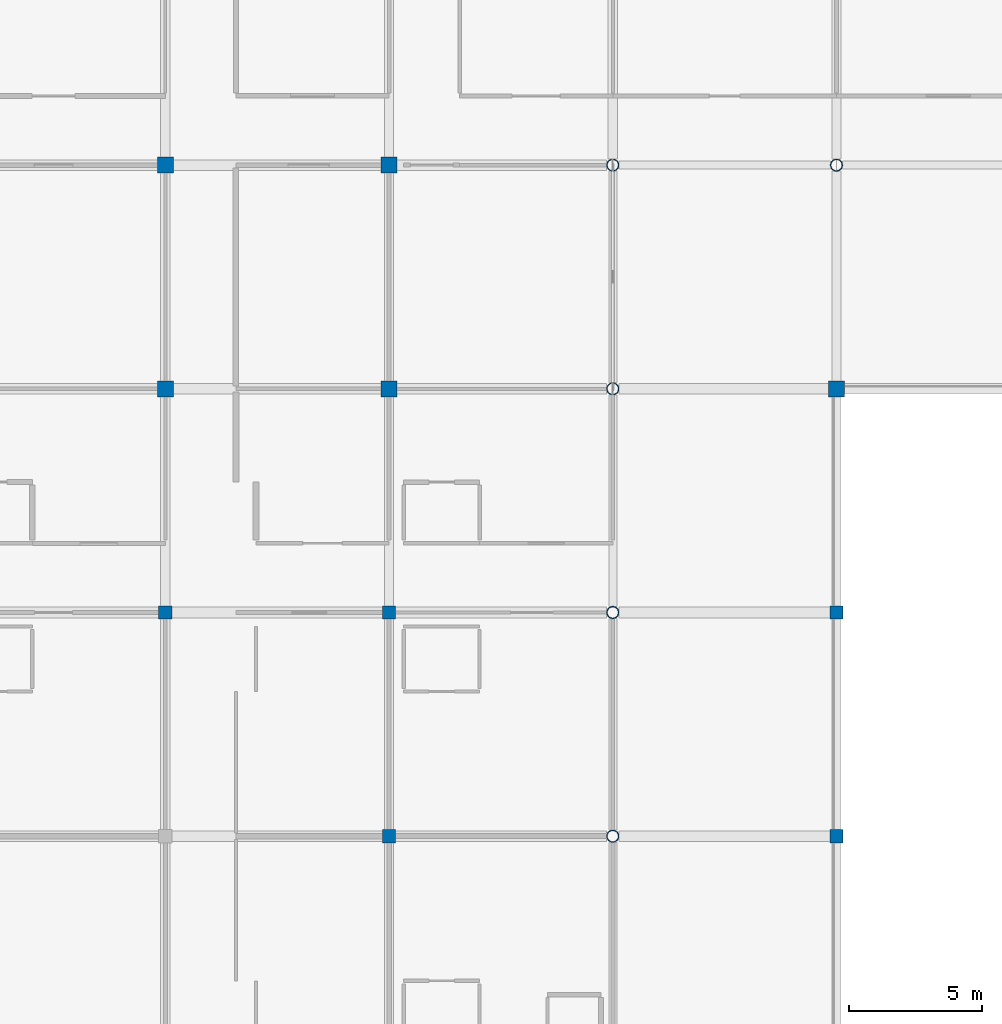
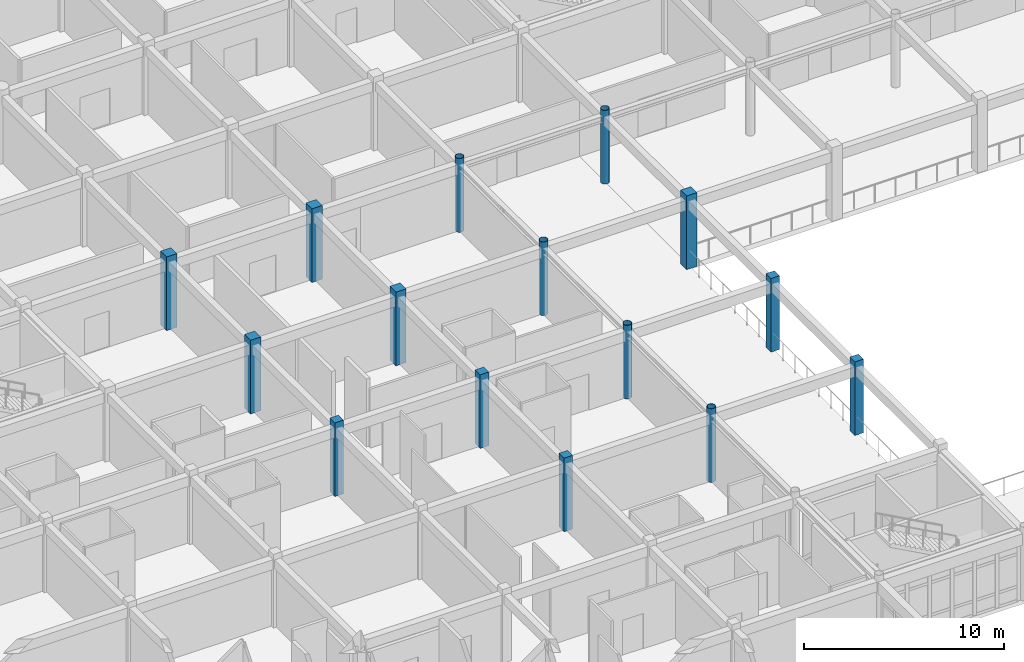
# One storey, part 4 of 144: 15 columns.
"""IFC4 building model written with IfcOpenShell, lengths in metres."""

import ifcopenshell
import ifcopenshell.guid

model = None  # the IFC model being written
_history = None  # IfcOwnerHistory: only IFC2X3 demands one
_inside = {}  # id of a spatial element -> (the spatial element, [elements in it])
_under = {}  # id of a project, library or spatial element -> (it, [spatial elements below it])
_declared = {}  # id of a project -> (the project, [libraries it declares])
_typed = {}  # id of a type object -> (the type object, [elements of that type])
_made_of = {}  # id of a material, layer set ... -> (it, [elements and type objects made of it])


def new_model(schema):
    """Start an empty IFC model of exactly this schema.

    Asked for "IFC4X3", IfcOpenShell would pick the latest addendum, in which some entities
    have other attributes; the version numbers below select the first issue.
    IFC2X3 requires an IfcOwnerHistory on every rooted entity: one is made here for all.
    """
    global model, _history
    if schema == "IFC4X3":
        model = ifcopenshell.file(schema_version=(4, 3, 0, 0))
    else:
        model = ifcopenshell.file(schema=schema)
    _inside.clear()
    _under.clear()
    _declared.clear()
    _typed.clear()
    _made_of.clear()
    _history = None
    if model.schema == "IFC2X3":
        org = make("IfcOrganization", Name="unknown")
        user = make(
            "IfcPersonAndOrganization",
            ThePerson=make("IfcPerson", FamilyName="unknown"),
            TheOrganization=org,
        )
        app = make(
            "IfcApplication",
            ApplicationDeveloper=org,
            Version="unknown",
            ApplicationFullName="unknown",
            ApplicationIdentifier="unknown",
        )
        _history = make(
            "IfcOwnerHistory",
            OwningUser=user,
            OwningApplication=app,
            ChangeAction="ADDED",
            CreationDate=0,
        )
    return model


def make(cls, **values):
    """One entity of the class cls with the attributes given. An attribute that is None is left unset."""
    return model.create_entity(
        cls, **{name: value for name, value in values.items() if value is not None}
    )


def rooted(cls, **values):
    """An entity with a GlobalId (a new one), such as an element, a storey or a relation."""
    return make(cls, GlobalId=ifcopenshell.guid.new(), OwnerHistory=_history, **values)


def si_unit(unit_type, name, prefix=None):
    """IfcSIUnit, for example si_unit("LENGTHUNIT", "METRE", prefix="MILLI")."""
    return make("IfcSIUnit", UnitType=unit_type, Prefix=prefix, Name=name)


def assignment(units):
    """IfcUnitAssignment: the units of a project."""
    return None if units is None else make("IfcUnitAssignment", Units=units)


def point(xyz):
    """IfcCartesianPoint."""
    return None if xyz is None else make("IfcCartesianPoint", Coordinates=xyz)


def direction(xyz):
    """IfcDirection."""
    return None if xyz is None else make("IfcDirection", DirectionRatios=xyz)


def frame(location, z_axis=None, x_axis=None):
    """IfcAxis2Placement3D, a coordinate frame: its origin and axes. An axis left out is left unset."""
    return make(
        "IfcAxis2Placement3D",
        Location=point(location),
        Axis=direction(z_axis),
        RefDirection=direction(x_axis),
    )


def frame_2d(location, x_axis=None):
    """IfcAxis2Placement2D, a coordinate frame in the plane: its origin and x axis."""
    return make(
        "IfcAxis2Placement2D", Location=point(location), RefDirection=direction(x_axis)
    )


def origin():
    """The frame at (0, 0, 0) with its axes left unset."""
    return frame((0.0, 0.0, 0.0))


def origin_2d():
    """The frame at (0, 0) in the plane with its x axis left unset."""
    return frame_2d((0.0, 0.0))


def place(relative_to, where):
    """IfcLocalPlacement: puts the frame where relative to a parent placement (None: the world)."""
    return make(
        "IfcLocalPlacement", PlacementRelTo=relative_to, RelativePlacement=where
    )


def context(
    kind, dimensions, precision=None, world=None, true_north=None, identifier=None
):
    """IfcGeometricRepresentationContext, for example the 3D "Model" context."""
    return make(
        "IfcGeometricRepresentationContext",
        ContextIdentifier=identifier,
        ContextType=kind,
        CoordinateSpaceDimension=dimensions,
        Precision=precision,
        WorldCoordinateSystem=world,
        TrueNorth=true_north,
    )


def subcontext(parent, identifier, kind, view, scale=None):
    """IfcGeometricRepresentationSubContext, for example "Body" below "Model"."""
    return make(
        "IfcGeometricRepresentationSubContext",
        ContextIdentifier=identifier,
        ContextType=kind,
        ParentContext=parent,
        TargetScale=scale,
        TargetView=view,
    )


def project(units=None, contexts=None):
    """IfcProject with its units and contexts."""
    return rooted(
        "IfcProject",
        Name="project",
        RepresentationContexts=contexts,
        UnitsInContext=assignment(units),
    )


def spatial(cls, under=None, at=None, **own):
    """A site, building, storey or space (cls), placed at a placement, below another one or the project."""
    s = rooted(cls, ObjectPlacement=at, **own)
    if under is not None:
        _under.setdefault(under.id(), (under, []))[1].append(s)
    return s


def profile(cls, at=None, kind="AREA", **sizes):
    """A parametric profile (cls). Its sizes go by their IFC names, for example OverallWidth=200.0."""
    return make(cls, ProfileType=kind, Position=at, **sizes)


def rectangle(**sizes):
    """IfcRectangleProfileDef."""
    return profile("IfcRectangleProfileDef", **sizes)


def hollow_circle(**sizes):
    """IfcCircleHollowProfileDef."""
    return profile("IfcCircleHollowProfileDef", **sizes)


def extrude(swept, where, along, depth):
    """IfcExtrudedAreaSolid: the profile swept, set in the frame where, extruded along a direction by depth."""
    return make(
        "IfcExtrudedAreaSolid",
        SweptArea=swept,
        Position=where,
        ExtrudedDirection=direction(along),
        Depth=depth,
    )


def shape(context_of_items, identifier, shape_type, items):
    """IfcShapeRepresentation: the items that make up one representation, for example the "Body"."""
    return make(
        "IfcShapeRepresentation",
        ContextOfItems=context_of_items,
        RepresentationIdentifier=identifier,
        RepresentationType=shape_type,
        Items=items,
    )


def material(Name=None, Category=None):
    """IfcMaterial."""
    return make("IfcMaterial", Name=Name, Category=Category)


def material_profile(
    of_material, cross_section, Name=None, Category=None, Priority=None
):
    """IfcMaterialProfile: a cross section and its material."""
    return make(
        "IfcMaterialProfile",
        Name=Name,
        Material=of_material,
        Profile=cross_section,
        Priority=Priority,
        Category=Category,
    )


def profile_set(profiles, Name=None, composite=None):
    """IfcMaterialProfileSet."""
    return make(
        "IfcMaterialProfileSet",
        Name=Name,
        MaterialProfiles=profiles,
        CompositeProfile=composite,
    )


def made_of(thing, what):
    """Note that an element or type object is made of a material, layer set ...; save() writes the relation."""
    if what is not None:
        _made_of.setdefault(what.id(), (what, []))[1].append(thing)
    return thing


def type_object(cls, material=None, **own):
    """A type object (cls), such as IfcWallType, which elements share."""
    return made_of(rooted(cls, **own), material)


def element(
    cls,
    number,
    at=None,
    inside=None,
    cuts=None,
    type_object=None,
    material=None,
    context=None,
    identifier="Body",
    shape_type=None,
    held_by="IfcProductDefinitionShape",
    body=None,
    shapes=None,
    **own,
):
    """One element of the class cls, such as IfcWall. Its Tag is "e" and its number.

    at: its placement. inside: the storey or other place that contains it. cuts: it is an
    opening in that element (IfcRelVoidsElement). A single representation is given by context,
    identifier, shape_type and body (its items); several are given by shapes. held_by: the class
    of the entity that holds the representations. save() writes the other relations.
    """
    e = rooted(cls, Tag="e%d" % number, ObjectPlacement=at, **own)
    if body is not None:
        shapes = [shape(context, identifier, shape_type, body)]
    if shapes is not None:
        e.Representation = make(held_by, Representations=shapes)
    if inside is not None:
        _inside.setdefault(inside.id(), (inside, []))[1].append(e)
    if cuts is not None:
        rooted(
            "IfcRelVoidsElement", RelatingBuildingElement=cuts, RelatedOpeningElement=e
        )
    if type_object is not None:
        _typed.setdefault(type_object.id(), (type_object, []))[1].append(e)
    return made_of(e, material)


def aggregate(whole, parts):
    """IfcRelAggregates: a whole, such as a stair, and the parts it consists of."""
    return rooted("IfcRelAggregates", RelatingObject=whole, RelatedObjects=parts)


def save(model, path):
    """Write the relations noted so far, then the file.

    IfcRelAggregates (storeys below a building ...), IfcRelContainedInSpatialStructure (elements
    in a storey), IfcRelDefinesByType, IfcRelAssociatesMaterial and IfcRelDeclares: one each for
    every whole, place, type object, material and project.
    """
    for whole, parts in _under.values():
        aggregate(whole, parts)
    for where, things in _inside.values():
        rooted(
            "IfcRelContainedInSpatialStructure",
            RelatedElements=things,
            RelatingStructure=where,
        )
    for kind, things in _typed.values():
        rooted("IfcRelDefinesByType", RelatedObjects=things, RelatingType=kind)
    for what, things in _made_of.values():
        rooted("IfcRelAssociatesMaterial", RelatedObjects=things, RelatingMaterial=what)
    for by, libraries in _declared.values():
        rooted("IfcRelDeclares", RelatingContext=by, RelatedDefinitions=libraries)
    model.write(path)


model = new_model("IFC4")

# Units and contexts
model_context = context("Model", 3, precision=1e-05, world=origin(), true_north=direction((0.0, 1.0)))
body_context = subcontext(model_context, "Body", "Model", "MODEL_VIEW")
ifc_project = project(units=[si_unit("LENGTHUNIT", "METRE"), si_unit("AREAUNIT", "SQUARE_METRE"), si_unit("VOLUMEUNIT", "CUBIC_METRE"), si_unit("PLANEANGLEUNIT", "RADIAN"), si_unit("MASSUNIT", "GRAM", prefix="KILO")], contexts=[model_context])

# Site, building, storey
site_placement = place(None, origin())
site = spatial("IfcSite", under=ifc_project, at=site_placement, CompositionType="ELEMENT")
building_placement = place(site_placement, origin())
building = spatial("IfcBuilding", under=site, at=building_placement, Name="Bramfleet General Hospital", CompositionType="ELEMENT")
storey_placement = place(building_placement, frame((0.0, 0.0, 4.800048828125)))
storey = spatial("IfcBuildingStorey", under=building, at=storey_placement, Name="L01", CompositionType="ELEMENT", Elevation=4.800048828125)

# Columns
ifc_material_1 = material(Name="Steel S355", Category="steel")
ifc_material_profile_1 = material_profile(ifc_material_1, hollow_circle(Radius=0.228515625, WallThickness=0.02001953125, at=origin_2d()), Name="CHS 457.0x20.0")
ifc_profile_set_1 = profile_set([ifc_material_profile_1], Name="Steel S355")
column_type_1 = type_object("IfcColumnType", Name="COL-CHS457", PredefinedType="COLUMN", material=ifc_profile_set_1)
for number, where, z_axis, x_axis, name in (
    (1, (50.39990234375, 33.60009765625, 0.0), (0.0, 0.0, 1.0), (1.0, 0.0, 0.0), "Column COL-L01-06-04"),
    (2, (50.39990234375, 42.0, 0.0), (0.0, 0.0, 1.0), (1.0, 0.0, 0.0), "Column COL-L01-06-05"),
    (3, (50.39990234375, 50.39990234375, 0.0), (0.0, 0.0, 1.0), (1.0, 0.0, 0.0), "Column COL-L01-06-06"),
    (4, (50.39990234375, 58.800048828125, 0.0), (0.0, 0.0, 1.0), (1.0, 0.0, 0.0), "Column COL-L01-06-07"),
    (5, (58.800048828125, 58.800048828125, 0.0), (0.0, 0.0, 1.0), (1.0, 0.0, 0.0), "Column COL-L01-07-07"),
):
    element("IfcColumn", number, at=place(storey_placement, frame(where, z_axis=z_axis, x_axis=x_axis)), inside=storey, type_object=column_type_1, Name=name, PredefinedType="COLUMN", context=body_context, shape_type="SweptSolid", body=[
        extrude(hollow_circle(Radius=0.228515625, WallThickness=0.02001953125, at=origin_2d()), origin(), (0.0, 0.0, 1.0), 4.5),
    ])
ifc_material_2 = material(Name="Concrete C40/50", Category="concrete")
ifc_material_profile_2 = material_profile(ifc_material_2, rectangle(XDim=0.5, YDim=0.5, at=origin_2d()), Name="RC COL 500x500")
ifc_profile_set_2 = profile_set([ifc_material_profile_2], Name="Concrete C40/50")
column_type_2 = type_object("IfcColumnType", Name="COL-RC500", PredefinedType="COLUMN", material=ifc_profile_set_2)
for number, where, z_axis, x_axis, name in (
    (6, (33.60009765625, 42.0, 0.0), (0.0, 0.0, 1.0), (1.0, 0.0, 0.0), "Column COL-L01-04-05"),
    (7, (42.0, 33.60009765625, 0.0), (0.0, 0.0, 1.0), (1.0, 0.0, 0.0), "Column COL-L01-05-04"),
    (8, (42.0, 42.0, 0.0), (0.0, 0.0, 1.0), (1.0, 0.0, 0.0), "Column COL-L01-05-05"),
    (9, (58.800048828125, 33.60009765625, 0.0), (0.0, 0.0, 1.0), (1.0, 0.0, 0.0), "Column COL-L01-07-04"),
    (10, (58.800048828125, 42.0, 0.0), (0.0, 0.0, 1.0), (1.0, 0.0, 0.0), "Column COL-L01-07-05"),
):
    element("IfcColumn", number, at=place(storey_placement, frame(where, z_axis=z_axis, x_axis=x_axis)), inside=storey, type_object=column_type_2, Name=name, PredefinedType="COLUMN", context=body_context, shape_type="SweptSolid", body=[
        extrude(rectangle(XDim=0.5, YDim=0.5, at=origin_2d()), origin(), (0.0, 0.0, 1.0), 4.5),
    ])
ifc_material_profile_3 = material_profile(ifc_material_2, rectangle(XDim=0.60009765625, YDim=0.60009765625, at=origin_2d()), Name="RC COL 600x600")
ifc_profile_set_3 = profile_set([ifc_material_profile_3], Name="Concrete C40/50")
column_type_3 = type_object("IfcColumnType", Name="COL-RC600", PredefinedType="COLUMN", material=ifc_profile_set_3)
for number, where, z_axis, x_axis, name in (
    (11, (33.60009765625, 50.39990234375, 0.0), (0.0, 0.0, 1.0), (1.0, 0.0, 0.0), "Column COL-L01-04-06"),
    (12, (33.60009765625, 58.800048828125, 0.0), (0.0, 0.0, 1.0), (1.0, 0.0, 0.0), "Column COL-L01-04-07"),
    (13, (42.0, 50.39990234375, 0.0), (0.0, 0.0, 1.0), (1.0, 0.0, 0.0), "Column COL-L01-05-06"),
    (14, (42.0, 58.800048828125, 0.0), (0.0, 0.0, 1.0), (1.0, 0.0, 0.0), "Column COL-L01-05-07"),
    (15, (58.800048828125, 50.39990234375, 0.0), (0.0, 0.0, 1.0), (1.0, 0.0, 0.0), "Column COL-L01-07-06"),
):
    element("IfcColumn", number, at=place(storey_placement, frame(where, z_axis=z_axis, x_axis=x_axis)), inside=storey, type_object=column_type_3, Name=name, PredefinedType="COLUMN", context=body_context, shape_type="SweptSolid", body=[
        extrude(rectangle(XDim=0.60009765625, YDim=0.60009765625, at=origin_2d()), origin(), (0.0, 0.0, 1.0), 4.5),
    ])

save(model, "model.ifc")
